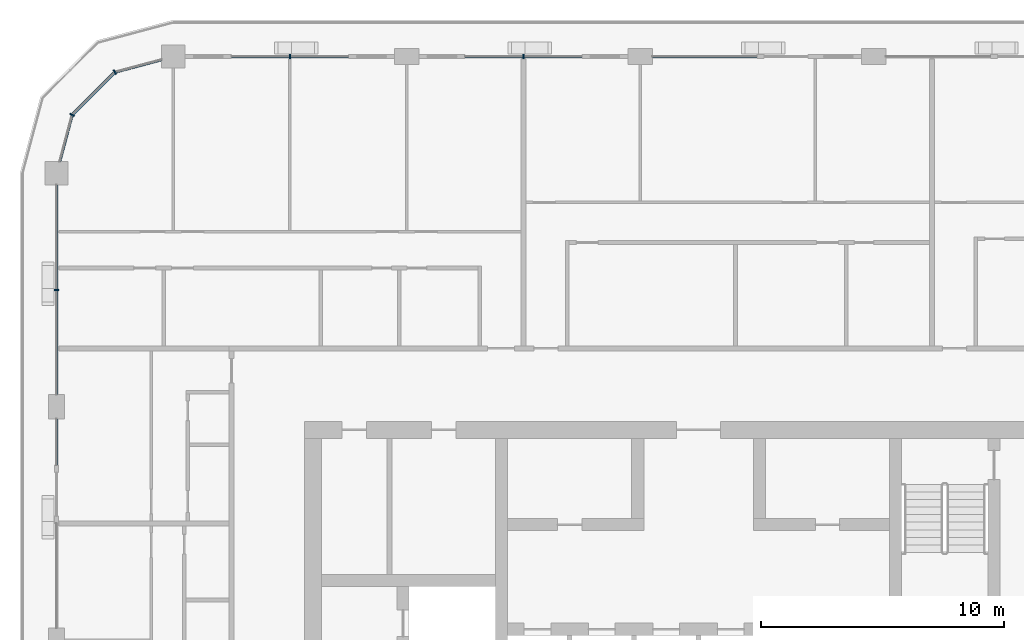
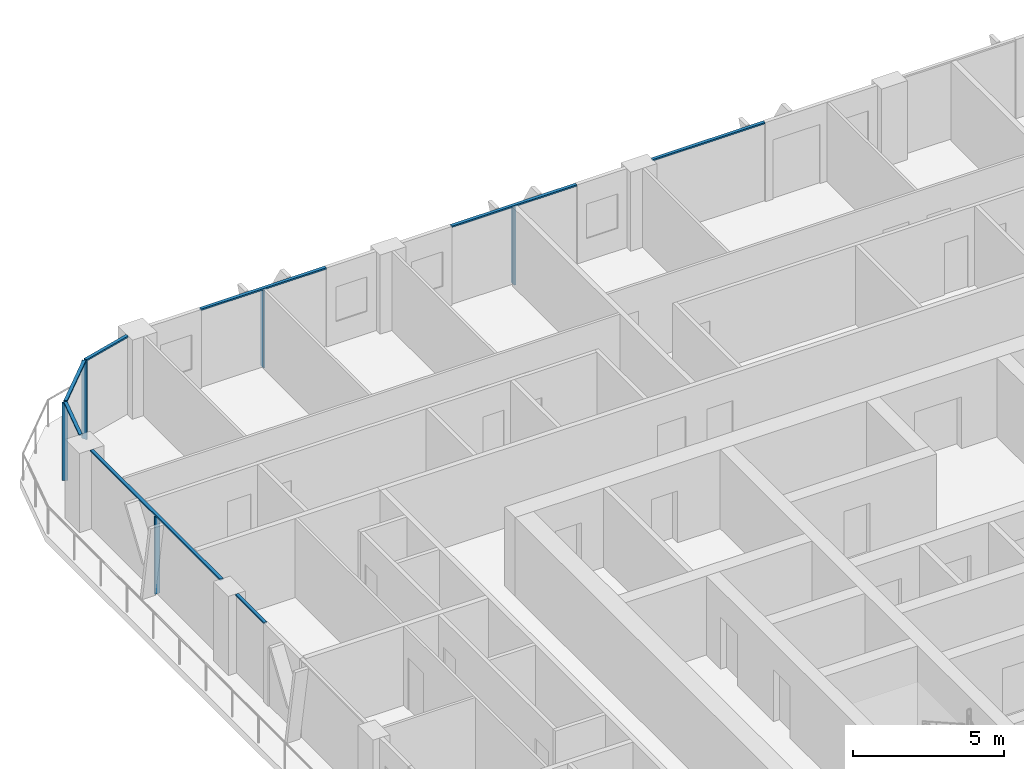
# One storey, part 5 of 22: 13 members, 6 elements without a shape of their own.
"""IFC4 building model written with IfcOpenShell, lengths in metres."""

from ifc_helpers import new_model, si_unit, direction, frame, origin, origin_2d, place, context, subcontext, project, spatial, rectangle, extrude, material, layer, layer_set, material_profile, profile_set, type_object, element, aggregate, save


model = new_model("IFC4")

# Units and contexts
model_context = context("Model", 3, precision=1e-05, world=origin(), true_north=direction((0.0, 1.0)))
body_context = subcontext(model_context, "Body", "Model", "MODEL_VIEW")
ifc_project = project(units=[si_unit("LENGTHUNIT", "METRE"), si_unit("AREAUNIT", "SQUARE_METRE"), si_unit("VOLUMEUNIT", "CUBIC_METRE"), si_unit("PLANEANGLEUNIT", "RADIAN"), si_unit("MASSUNIT", "GRAM", prefix="KILO")], contexts=[model_context])

# Site, building, storey
site_placement = place(None, origin())
site = spatial("IfcSite", under=ifc_project, at=site_placement, CompositionType="ELEMENT")
building_placement = place(site_placement, origin())
building = spatial("IfcBuilding", under=site, at=building_placement, Name="Madar Terraces", CompositionType="ELEMENT")
storey_placement = place(building_placement, frame((0.0, 0.0, 208.800048828125)))
storey = spatial("IfcBuildingStorey", under=building, at=storey_placement, Name="L54", CompositionType="ELEMENT", Elevation=208.800048828125)

# Curtain wall, member
ifc_material_1 = material(Name="Glass, ceramic frit dark grey, with black aluminium frame", Category="aluminium")
ifc_layer = layer(ifc_material_1, 0.199951171875)
ifc_layer_set = layer_set([ifc_layer], Name="Facade curtain wall, fritted glass")
curtain_wall_type = type_object("IfcCurtainWallType", Name="Facade curtain wall, fritted glass", PredefinedType="NOTDEFINED", material=ifc_layer_set)
curtain_wall_1_placement = place(storey_placement, origin())
curtain_wall_1 = element("IfcCurtainWall", 1, at=curtain_wall_1_placement, inside=storey, type_object=curtain_wall_type, Name="Outer skin curtain wall north bay 4", PredefinedType="NOTDEFINED")
ifc_material_2 = material(Name="Aluminium, black anodised", Category="aluminium")
ifc_material_profile_1 = material_profile(ifc_material_2, rectangle(XDim=0.199951171875, YDim=0.06005859375, at=origin_2d()), Name="Facade mullion 60x200")
ifc_profile_set_1 = profile_set([ifc_material_profile_1], Name="Aluminium, black anodised")
member_type_1 = type_object("IfcMemberType", Name="Facade mullion 60x200", PredefinedType="MULLION", material=ifc_profile_set_1)
member_1_placement = place(storey_placement, frame((24.0, 52.800048828125, 0.0), z_axis=(0.0, 0.0, 1.0), x_axis=(0.0, -1.0, 0.0)))
member_1 = element("IfcMember", 2, at=member_1_placement, type_object=member_type_1, Name="Mullion 1", PredefinedType="MULLION", context=body_context, shape_type="SweptSolid", body=[
    extrude(rectangle(XDim=0.199951171875, YDim=0.06005859375, at=origin_2d()), origin(), (0.0, 0.0, 1.0), 3.139892578125),
])

curtain_wall_2_placement = place(storey_placement, origin())
curtain_wall_2 = element("IfcCurtainWall", 3, at=curtain_wall_2_placement, inside=storey, type_object=curtain_wall_type, Name="Outer skin curtain wall north bay 5", PredefinedType="NOTDEFINED")
member_2_placement = place(storey_placement, frame((14.39990234375, 52.800048828125, 0.0), z_axis=(0.0, 0.0, 1.0), x_axis=(0.0, -1.0, 0.0)))
member_2 = element("IfcMember", 4, at=member_2_placement, type_object=member_type_1, Name="Mullion 1", PredefinedType="MULLION", context=body_context, shape_type="SweptSolid", body=[
    extrude(rectangle(XDim=0.199951171875, YDim=0.06005859375, at=origin_2d()), origin(), (0.0, 0.0, 1.0), 3.139892578125),
])

curtain_wall_3_placement = place(storey_placement, origin())
curtain_wall_3 = element("IfcCurtainWall", 5, at=curtain_wall_3_placement, inside=storey, type_object=curtain_wall_type, Name="Outer skin curtain wall west bay 1", PredefinedType="NOTDEFINED")
member_3_placement = place(storey_placement, frame((4.800048828125, 43.199951171875, 0.0), z_axis=(0.0, 0.0, 1.0), x_axis=(1.0, 0.0, 0.0)))
member_3 = element("IfcMember", 6, at=member_3_placement, type_object=member_type_1, Name="Mullion 1", PredefinedType="MULLION", context=body_context, shape_type="SweptSolid", body=[
    extrude(rectangle(XDim=0.199951171875, YDim=0.06005859375, at=origin_2d()), origin(), (0.0, 0.0, 1.0), 3.139892578125),
])

# Curtain wall, members
curtain_wall_4_placement = place(storey_placement, origin())
curtain_wall_4 = element("IfcCurtainWall", 7, at=curtain_wall_4_placement, inside=storey, type_object=curtain_wall_type, Name="Outer skin curtain wall north-west corner", PredefinedType="NOTDEFINED")
member_4_placement = place(storey_placement, frame((7.199951171875, 52.156982421875, 0.0), z_axis=(0.0, 0.0, 1.0), x_axis=(0.499999989586, -0.866025409797, 0.0)))
member_4 = element("IfcMember", 8, at=member_4_placement, type_object=member_type_1, Name="Mullion 1", PredefinedType="MULLION", context=body_context, shape_type="SweptSolid", body=[
    extrude(rectangle(XDim=0.199951171875, YDim=0.06005859375, at=origin_2d()), origin(), (0.0, 0.0, 1.0), 3.139892578125),
])
member_5_placement = place(storey_placement, frame((5.443115234375, 50.39990234375, 0.0), z_axis=(0.0, 0.0, 1.0), x_axis=(0.866025409797, -0.499999989586, 0.0)))
member_5 = element("IfcMember", 9, at=member_5_placement, type_object=member_type_1, Name="Mullion 2", PredefinedType="MULLION", context=body_context, shape_type="SweptSolid", body=[
    extrude(rectangle(XDim=0.199951171875, YDim=0.06005859375, at=origin_2d()), origin(), (0.0, 0.0, 1.0), 3.139892578125),
])

# Curtain wall, member
curtain_wall_5_placement = place(storey_placement, origin())
curtain_wall_5 = element("IfcCurtainWall", 10, at=curtain_wall_5_placement, inside=storey, type_object=curtain_wall_type, Name="Outer skin curtain wall north bay 3", PredefinedType="NOTDEFINED")
ifc_material_3 = material(Name="Aluminium, black anodised", Category="aluminium")
ifc_material_profile_2 = material_profile(ifc_material_3, rectangle(XDim=0.1201171875, YDim=0.06005859375, at=origin_2d()), Name="Facade transom 60x120")
ifc_profile_set_2 = profile_set([ifc_material_profile_2], Name="Aluminium, black anodised")
member_type_2 = type_object("IfcMemberType", Name="Facade transom 60x120", PredefinedType="USERDEFINED", material=ifc_profile_set_2)
member_6_placement = place(storey_placement, frame((33.60009765625, 52.800048828125, 3.169921875), z_axis=(-1.0, 0.0, 0.0), x_axis=(0.0, -1.0, 0.0)))
member_6 = element("IfcMember", 11, at=member_6_placement, type_object=member_type_2, Name="Transom 1", ObjectType="TRANSOM", PredefinedType="USERDEFINED", context=body_context, shape_type="SweptSolid", body=[
    extrude(rectangle(XDim=0.1201171875, YDim=0.06005859375, at=origin_2d()), origin(), (0.0, 0.0, 1.0), 4.300048828125),
])
aggregate(curtain_wall_5, [member_6])

# Member
member_7_placement = place(storey_placement, frame((26.39990234375, 52.800048828125, 3.169921875), z_axis=(-1.0, 0.0, 0.0), x_axis=(0.0, -1.0, 0.0)))
member_7 = element("IfcMember", 12, at=member_7_placement, type_object=member_type_2, Name="Transom 1", ObjectType="TRANSOM", PredefinedType="USERDEFINED", context=body_context, shape_type="SweptSolid", body=[
    extrude(rectangle(XDim=0.1201171875, YDim=0.06005859375, at=origin_2d()), origin(), (0.0, 0.0, 1.0), 4.7998046875),
])

aggregate(curtain_wall_1, [member_1, member_7])

member_8_placement = place(storey_placement, frame((16.800048828125, 52.800048828125, 3.169921875), z_axis=(-1.0, 0.0, 0.0), x_axis=(0.0, -1.0, 0.0)))
member_8 = element("IfcMember", 13, at=member_8_placement, type_object=member_type_2, Name="Transom 1", ObjectType="TRANSOM", PredefinedType="USERDEFINED", context=body_context, shape_type="SweptSolid", body=[
    extrude(rectangle(XDim=0.1201171875, YDim=0.06005859375, at=origin_2d()), origin(), (0.0, 0.0, 1.0), 4.800048828125),
])

aggregate(curtain_wall_2, [member_2, member_8])

member_9_placement = place(storey_placement, frame((4.800048828125, 47.52490234375, 3.169921875), z_axis=(0.0, -1.0, 0.0), x_axis=(1.0, 0.0, 0.0)))
member_9 = element("IfcMember", 14, at=member_9_placement, type_object=member_type_2, Name="Transom 1", ObjectType="TRANSOM", PredefinedType="USERDEFINED", context=body_context, shape_type="SweptSolid", body=[
    extrude(rectangle(XDim=0.1201171875, YDim=0.06005859375, at=origin_2d()), origin(), (0.0, 0.0, 1.0), 8.625),
])

aggregate(curtain_wall_3, [member_3, member_9])

# Curtain wall, member
curtain_wall_6_placement = place(storey_placement, origin())
curtain_wall_6 = element("IfcCurtainWall", 15, at=curtain_wall_6_placement, inside=storey, type_object=curtain_wall_type, Name="Outer skin curtain wall west bay 2", PredefinedType="NOTDEFINED")
member_10_placement = place(storey_placement, frame((4.800048828125, 37.89990234375, 3.169921875), z_axis=(0.0, -1.0, 0.0), x_axis=(1.0, 0.0, 0.0)))
member_10 = element("IfcMember", 16, at=member_10_placement, type_object=member_type_2, Name="Transom 1", ObjectType="TRANSOM", PredefinedType="USERDEFINED", context=body_context, shape_type="SweptSolid", body=[
    extrude(rectangle(XDim=0.1201171875, YDim=0.06005859375, at=origin_2d()), origin(), (0.0, 0.0, 1.0), 1.89990234375),
])
aggregate(curtain_wall_6, [member_10])

# Member
member_11_placement = place(storey_placement, frame((9.125, 52.672607421875, 3.169921875), z_axis=(-0.965953602414, -0.258715360935, 0.0), x_axis=(0.258715360935, -0.965953602414, 0.0)))
member_11 = element("IfcMember", 17, at=member_11_placement, type_object=member_type_2, Name="Transom 1", ObjectType="TRANSOM", PredefinedType="USERDEFINED", context=body_context, shape_type="SweptSolid", body=[
    extrude(rectangle(XDim=0.1201171875, YDim=0.06005859375, at=origin_2d()), origin(), (0.0, 0.0, 1.0), 1.962890625),
])

member_12_placement = place(storey_placement, frame((7.1787109375, 52.1357421875, 3.169921875), z_axis=(-0.707056433593, -0.707157125196, 0.0), x_axis=(0.707157125196, -0.707056433593, 0.0)))
member_12 = element("IfcMember", 18, at=member_12_placement, type_object=member_type_2, Name="Transom 2", ObjectType="TRANSOM", PredefinedType="USERDEFINED", context=body_context, shape_type="SweptSolid", body=[
    extrude(rectangle(XDim=0.1201171875, YDim=0.06005859375, at=origin_2d()), origin(), (0.0, 0.0, 1.0), 2.424560546875),
])

member_13_placement = place(storey_placement, frame((5.435302734375, 50.37109375, 3.169921875), z_axis=(-0.258831412352, -0.96592251241, 0.0), x_axis=(0.96592251241, -0.258831412352, 0.0)))
member_13 = element("IfcMember", 19, at=member_13_placement, type_object=member_type_2, Name="Transom 3", ObjectType="TRANSOM", PredefinedType="USERDEFINED", context=body_context, shape_type="SweptSolid", body=[
    extrude(rectangle(XDim=0.1201171875, YDim=0.06005859375, at=origin_2d()), origin(), (0.0, 0.0, 1.0), 1.962890625),
])

aggregate(curtain_wall_4, [member_4, member_11, member_5, member_12, member_13])

save(model, "model.ifc")
